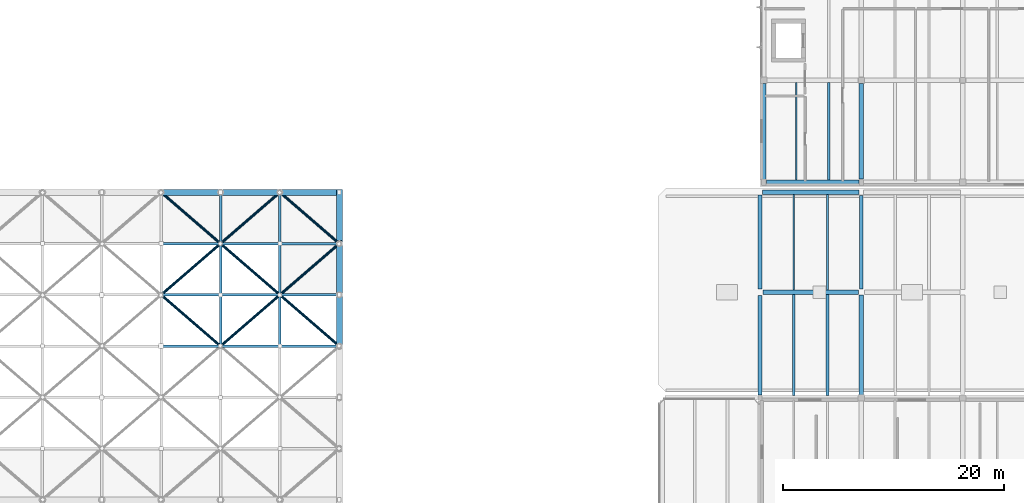
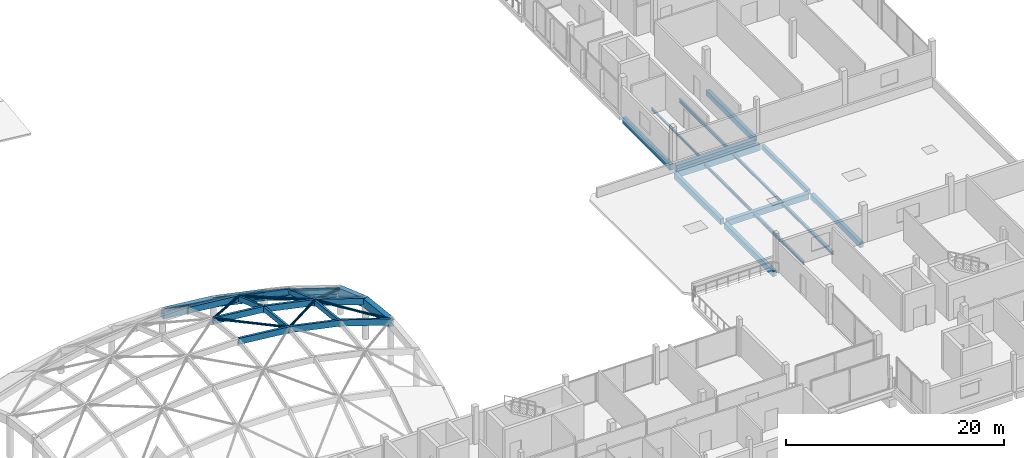
# One storey, part 14 of 41: 24 members, 21 beams.
"""IFC4 building model written with IfcOpenShell, lengths in metres."""

from ifc_helpers import new_model, si_unit, direction, frame, origin, origin_2d, place, context, subcontext, project, spatial, rectangle, hollow_circle, i_section, extrude, material, material_profile, profile_set, type_object, element, save


model = new_model("IFC4")

# Units and contexts
model_context = context("Model", 3, precision=1e-05, world=origin(), true_north=direction((0.0, 1.0)))
body_context = subcontext(model_context, "Body", "Model", "MODEL_VIEW")
ifc_project = project(units=[si_unit("LENGTHUNIT", "METRE"), si_unit("AREAUNIT", "SQUARE_METRE"), si_unit("VOLUMEUNIT", "CUBIC_METRE"), si_unit("PLANEANGLEUNIT", "RADIAN"), si_unit("MASSUNIT", "GRAM", prefix="KILO")], contexts=[model_context])

# Site, building, storey
site_placement = place(None, origin())
site = spatial("IfcSite", under=ifc_project, at=site_placement, CompositionType="ELEMENT")
building_placement = place(site_placement, origin())
building = spatial("IfcBuilding", under=site, at=building_placement, Name="Birchvale Park Specialist Clinic", CompositionType="ELEMENT")
storey_placement = place(building_placement, frame((0.0, 0.0, 9.60009765625)))
storey = spatial("IfcBuildingStorey", under=building, at=storey_placement, Name="L02", CompositionType="ELEMENT", Elevation=9.60009765625)

# Beams
ifc_material_1 = material(Name="Concrete C40/50", Category="concrete")
ifc_material_profile_1 = material_profile(ifc_material_1, rectangle(XDim=0.39990234375, YDim=0.68994140625, at=origin_2d()), Name="RCB-400x690")
ifc_profile_set_1 = profile_set([ifc_material_profile_1], Name="Concrete C40/50")
beam_type_1 = type_object("IfcBeamType", Name="BM-EXT-BG4", PredefinedType="BEAM", material=ifc_profile_set_1)
beam_1_placement = place(storey_placement, frame((128.239990234375, 63.050048828125, -0.6201171875), z_axis=(1.0, 0.0, 0.0), x_axis=(0.0, 1.0, 0.0)))
element("IfcBeam", 1, at=beam_1_placement, inside=storey, type_object=beam_type_1, Name="V5 L02 X girder 17", PredefinedType="BEAM", context=body_context, shape_type="SweptSolid", body=[
    extrude(rectangle(XDim=0.39990234375, YDim=0.68994140625, at=origin_2d()), origin(), (0.0, 0.0, 1.0), 8.75),
])
beam_2_placement = place(storey_placement, frame((128.590087890625, 63.949951171875, -0.64501953125), z_axis=(1.0, 0.0, 0.0), x_axis=(0.0, 1.0, 0.0)))
element("IfcBeam", 2, at=beam_2_placement, inside=storey, type_object=beam_type_1, Name="V6 L02 X girder 1", PredefinedType="BEAM", context=body_context, shape_type="SweptSolid", body=[
    extrude(rectangle(XDim=0.39990234375, YDim=0.68994140625, at=origin_2d()), origin(), (0.0, 0.0, 1.0), 8.39990234375),
])
ifc_material_profile_2 = material_profile(ifc_material_1, rectangle(XDim=0.3798828125, YDim=0.639892578125, at=origin_2d()), Name="RCB-380x640")
ifc_profile_set_2 = profile_set([ifc_material_profile_2], Name="Concrete C40/50")
beam_type_2 = type_object("IfcBeamType", Name="BM-EXT-BG5", PredefinedType="BEAM", material=ifc_profile_set_2)
beam_3_placement = place(storey_placement, frame((128.0, 44.675048828125, -0.59521484375), z_axis=(0.0, 1.0, 0.0), x_axis=(-1.0, 0.0, 0.0)))
element("IfcBeam", 3, at=beam_3_placement, inside=storey, type_object=beam_type_2, Name="V5 L02 Y girder 23", PredefinedType="BEAM", context=body_context, shape_type="SweptSolid", body=[
    extrude(rectangle(XDim=0.3798828125, YDim=0.639892578125, at=origin_2d()), origin(), (0.0, 0.0, 1.0), 9.02490234375),
])
beam_4_placement = place(storey_placement, frame((128.0, 54.300048828125, -0.59521484375), z_axis=(0.0, 1.0, 0.0), x_axis=(-1.0, 0.0, 0.0)))
element("IfcBeam", 4, at=beam_4_placement, inside=storey, type_object=beam_type_2, Name="V5 L02 Y girder 24", PredefinedType="BEAM", context=body_context, shape_type="SweptSolid", body=[
    extrude(rectangle(XDim=0.3798828125, YDim=0.639892578125, at=origin_2d()), origin(), (0.0, 0.0, 1.0), 8.510009765625),
])
beam_5_placement = place(storey_placement, frame((128.35009765625, 64.18994140625, -0.6201171875), z_axis=(0.0, 1.0, 0.0), x_axis=(-1.0, 0.0, 0.0)))
element("IfcBeam", 5, at=beam_5_placement, inside=storey, type_object=beam_type_2, Name="V6 L02 Y girder 16", PredefinedType="BEAM", context=body_context, shape_type="SweptSolid", body=[
    extrude(rectangle(XDim=0.3798828125, YDim=0.639892578125, at=origin_2d()), origin(), (0.0, 0.0, 1.0), 8.75),
])
ifc_material_profile_3 = material_profile(ifc_material_1, rectangle(XDim=0.550048828125, YDim=0.93994140625, at=origin_2d()), Name="RCB-550x940")
ifc_profile_set_3 = profile_set([ifc_material_profile_3], Name="Concrete C40/50")
beam_type_3 = type_object("IfcBeamType", Name="BM-EXT-RB1", PredefinedType="BEAM", material=ifc_profile_set_3)
beam_6_placement = place(storey_placement, frame((73.69287109375, 63.050048828125, 2.81689453125), z_axis=(0.994608725176, 0.0, -0.103699005798), x_axis=(0.0, 1.0, 0.0)))
element("IfcBeam", 6, at=beam_6_placement, inside=storey, type_object=beam_type_3, Name="V1 gridshell perimeter ring beam 12", PredefinedType="BEAM", context=body_context, shape_type="SweptSolid", body=[
    extrude(rectangle(XDim=0.550048828125, YDim=0.93994140625, at=origin_2d()), origin(), (0.0, 0.0, 1.0), 5.4150390625),
])
beam_7_placement = place(storey_placement, frame((79.07861328125, 63.050048828125, 2.25537109375), z_axis=(0.978246670793, 0.0, -0.207445055574), x_axis=(0.0, 1.0, 0.0)))
element("IfcBeam", 7, at=beam_7_placement, inside=storey, type_object=beam_type_3, Name="V1 gridshell perimeter ring beam 13", PredefinedType="BEAM", context=body_context, shape_type="SweptSolid", body=[
    extrude(rectangle(XDim=0.550048828125, YDim=0.93994140625, at=origin_2d()), origin(), (0.0, 0.0, 1.0), 5.505615234375),
])
beam_8_placement = place(storey_placement, frame((84.46435546875, 63.050048828125, 1.11328125), z_axis=(0.950354284012, 0.0, -0.311169945304), x_axis=(0.0, 1.0, 0.0)))
element("IfcBeam", 8, at=beam_8_placement, inside=storey, type_object=beam_type_3, Name="V1 gridshell perimeter ring beam 14", PredefinedType="BEAM", context=body_context, shape_type="SweptSolid", body=[
    extrude(rectangle(XDim=0.550048828125, YDim=0.93994140625, at=origin_2d()), origin(), (0.0, 0.0, 1.0), 5.6669921875),
])
beam_9_placement = place(storey_placement, frame((89.85009765625, 49.10009765625, 4.613037109375), z_axis=(0.0, 0.993844855483, -0.110780879355), x_axis=(-1.0, 0.0, 0.0)))
element("IfcBeam", 9, at=beam_9_placement, inside=storey, type_object=beam_type_3, Name="V1 gridshell perimeter ring beam 24", PredefinedType="BEAM", context=body_context, shape_type="SweptSolid", body=[
    extrude(rectangle(XDim=0.550048828125, YDim=0.93994140625, at=origin_2d()), origin(), (0.0, 0.0, 1.0), 4.6787109375),
])
beam_10_placement = place(storey_placement, frame((89.85009765625, 53.75, 4.0947265625), z_axis=(0.0, 0.943085366196, -0.33255073608), x_axis=(-1.0, 0.0, 0.0)))
element("IfcBeam", 10, at=beam_10_placement, inside=storey, type_object=beam_type_3, Name="V1 gridshell perimeter ring beam 25", PredefinedType="BEAM", context=body_context, shape_type="SweptSolid", body=[
    extrude(rectangle(XDim=0.550048828125, YDim=0.93994140625, at=origin_2d()), origin(), (0.0, 0.0, 1.0), 4.930419921875),
])
beam_11_placement = place(storey_placement, frame((89.85009765625, 58.39990234375, 2.455078125), z_axis=(0.0, 0.831626868314, -0.555334810631), x_axis=(-1.0, 0.0, 0.0)))
element("IfcBeam", 11, at=beam_11_placement, inside=storey, type_object=beam_type_3, Name="V1 gridshell perimeter ring beam 26", PredefinedType="BEAM", context=body_context, shape_type="SweptSolid", body=[
    extrude(rectangle(XDim=0.550048828125, YDim=0.93994140625, at=origin_2d()), origin(), (0.0, 0.0, 1.0), 5.591552734375),
])
ifc_material_profile_4 = material_profile(ifc_material_1, rectangle(XDim=0.39990234375, YDim=0.64990234375, at=origin_2d()), Name="RCB-400x650")
ifc_profile_set_4 = profile_set([ifc_material_profile_4], Name="Concrete C40/50")
beam_type_4 = type_object("IfcBeamType", Name="BM-INT-BG4", PredefinedType="BEAM", material=ifc_profile_set_4)
beam_12_placement = place(storey_placement, frame((128.300048828125, 54.0, -0.60009765625), z_axis=(1.0, 0.0, 0.0), x_axis=(0.0, 1.0, 0.0)))
element("IfcBeam", 12, at=beam_12_placement, inside=storey, type_object=beam_type_4, Name="V5 L02 X girder 15", PredefinedType="BEAM", context=body_context, shape_type="SweptSolid", body=[
    extrude(rectangle(XDim=0.39990234375, YDim=0.64990234375, at=origin_2d()), origin(), (0.0, 0.0, 1.0), 8.625),
])
ifc_material_profile_5 = material_profile(ifc_material_1, rectangle(XDim=0.3798828125, YDim=0.60009765625, at=origin_2d()), Name="RCB-380x600")
ifc_profile_set_5 = profile_set([ifc_material_profile_5], Name="Concrete C40/50")
beam_type_5 = type_object("IfcBeamType", Name="BM-INT-BG5", PredefinedType="BEAM", material=ifc_profile_set_5)
beam_13_placement = place(storey_placement, frame((137.199951171875, 44.64990234375, -0.5751953125), z_axis=(0.0, 1.0, 0.0), x_axis=(-1.0, 0.0, 0.0)))
element("IfcBeam", 13, at=beam_13_placement, inside=storey, type_object=beam_type_5, Name="V5 L02 Y girder 28", PredefinedType="BEAM", context=body_context, shape_type="SweptSolid", body=[
    extrude(rectangle(XDim=0.3798828125, YDim=0.60009765625, at=origin_2d()), origin(), (0.0, 0.0, 1.0), 9.0751953125),
])
beam_14_placement = place(storey_placement, frame((137.199951171875, 64.239990234375, -0.60009765625), z_axis=(0.0, 1.0, 0.0), x_axis=(-1.0, 0.0, 0.0)))
element("IfcBeam", 14, at=beam_14_placement, inside=storey, type_object=beam_type_5, Name="V6 L02 Y girder 20", PredefinedType="BEAM", context=body_context, shape_type="SweptSolid", body=[
    extrude(rectangle(XDim=0.3798828125, YDim=0.60009765625, at=origin_2d()), origin(), (0.0, 0.0, 1.0), 8.659912109375),
])
ifc_material_profile_6 = material_profile(ifc_material_1, rectangle(XDim=0.320068359375, YDim=0.5, at=origin_2d()), Name="RCB-320x500")
ifc_profile_set_6 = profile_set([ifc_material_profile_6], Name="Concrete C40/50")
beam_type_6 = type_object("IfcBeamType", Name="BM-INT-BG7", PredefinedType="BEAM", material=ifc_profile_set_6)
beam_15_placement = place(storey_placement, frame((137.199951171875, 54.27490234375, -0.525146484375), z_axis=(0.0, 1.0, 0.0), x_axis=(-1.0, 0.0, 0.0)))
element("IfcBeam", 15, at=beam_15_placement, inside=storey, type_object=beam_type_6, Name="V5 L02 Y girder 29", PredefinedType="BEAM", context=body_context, shape_type="SweptSolid", body=[
    extrude(rectangle(XDim=0.320068359375, YDim=0.5, at=origin_2d()), origin(), (0.0, 0.0, 1.0), 8.485107421875),
])

# Members
ifc_material_2 = material(Name="Steel EN 10210 S355", Category="steel")
ifc_material_profile_7 = material_profile(ifc_material_2, hollow_circle(Radius=0.122314453125, WallThickness=0.010009765625, at=origin_2d()), Name="CHS244.5X10")
ifc_profile_set_7 = profile_set([ifc_material_profile_7], Name="Steel EN 10210 S355")
member_type_1 = type_object("IfcMemberType", Name="MEM-BR1", PredefinedType="BRACE", material=ifc_profile_set_7)
member_1_placement = place(storey_placement, frame((79.04443359375, 49.12939453125, 7.83642578125), z_axis=(-0.756877770178, 0.653528160972, 0.006081432956), x_axis=(-0.653540246293, -0.756891766685, 0.0)))
element("IfcMember", 16, at=member_1_placement, inside=storey, type_object=member_type_1, Name="V1 gridshell tubular steel diagonal 28", PredefinedType="BRACE", context=body_context, shape_type="SweptSolid", body=[
    extrude(hollow_circle(Radius=0.122314453125, WallThickness=0.010009765625, at=origin_2d()), origin(), (0.0, 0.0, 1.0), 7.025390625),
])
member_2_placement = place(storey_placement, frame((73.725341796875, 53.778076171875, 7.8662109375), z_axis=(0.723117971539, 0.624308880999, -0.29553142023), x_axis=(-0.653498693899, 0.756927643221, 0.0)))
element("IfcMember", 17, at=member_2_placement, inside=storey, type_object=member_type_1, Name="V1 gridshell tubular steel diagonal 29", PredefinedType="BRACE", context=body_context, shape_type="SweptSolid", body=[
    extrude(hollow_circle(Radius=0.122314453125, WallThickness=0.010009765625, at=origin_2d()), origin(), (0.0, 0.0, 1.0), 7.358154296875),
])
member_3_placement = place(storey_placement, frame((79.04638671875, 58.427734375, 5.6630859375), z_axis=(-0.712734222202, 0.615385636246, -0.336616171928), x_axis=(-0.653524027301, -0.756905770714, 0.0)))
element("IfcMember", 18, at=member_3_placement, inside=storey, type_object=member_type_1, Name="V1 gridshell tubular steel diagonal 30", PredefinedType="BRACE", context=body_context, shape_type="SweptSolid", body=[
    extrude(hollow_circle(Radius=0.122314453125, WallThickness=0.010009765625, at=origin_2d()), origin(), (0.0, 0.0, 1.0), 7.466064453125),
])
member_4_placement = place(storey_placement, frame((79.11181640625, 49.128662109375, 7.825927734375), z_axis=(0.737105485434, 0.636425022581, -0.227241488235), x_axis=(-0.653522182779, 0.756907363299, 0.0)))
element("IfcMember", 19, at=member_4_placement, inside=storey, type_object=member_type_1, Name="V1 gridshell tubular steel diagonal 34", PredefinedType="BRACE", context=body_context, shape_type="SweptSolid", body=[
    extrude(hollow_circle(Radius=0.122314453125, WallThickness=0.010009765625, at=origin_2d()), origin(), (0.0, 0.0, 1.0), 7.216552734375),
])
member_5_placement = place(storey_placement, frame((84.430419921875, 53.779296875, 6.1728515625), z_axis=(-0.755076331914, 0.651912840785, -0.069780950149), x_axis=(-0.653505866941, -0.756921450266, 0.0)))
element("IfcMember", 20, at=member_5_placement, inside=storey, type_object=member_type_1, Name="V1 gridshell tubular steel diagonal 35", PredefinedType="BRACE", context=body_context, shape_type="SweptSolid", body=[
    extrude(hollow_circle(Radius=0.122314453125, WallThickness=0.010009765625, at=origin_2d()), origin(), (0.0, 0.0, 1.0), 7.042724609375),
])
member_6_placement = place(storey_placement, frame((79.10791015625, 58.42529296875, 5.6552734375), z_axis=(0.649930122279, 0.561138110614, -0.512557174343), x_axis=(-0.653509679052, 0.756918158974, 0.0)))
element("IfcMember", 21, at=member_6_placement, inside=storey, type_object=member_type_1, Name="V1 gridshell tubular steel diagonal 36", PredefinedType="BRACE", context=body_context, shape_type="SweptSolid", body=[
    extrude(hollow_circle(Radius=0.122314453125, WallThickness=0.010009765625, at=origin_2d()), origin(), (0.0, 0.0, 1.0), 8.196533203125),
])
member_7_placement = place(storey_placement, frame((89.81640625, 49.12890625, 4.938720703125), z_axis=(-0.745586970307, 0.643734006174, 0.172356023983), x_axis=(-0.653514026097, -0.756914405791, 0.0)))
element("IfcMember", 22, at=member_7_placement, inside=storey, type_object=member_type_1, Name="V1 gridshell tubular steel diagonal 40", PredefinedType="BRACE", context=body_context, shape_type="SweptSolid", body=[
    extrude(hollow_circle(Radius=0.122314453125, WallThickness=0.010009765625, at=origin_2d()), origin(), (0.0, 0.0, 1.0), 7.133544921875),
])
member_8_placement = place(storey_placement, frame((84.4951171875, 53.776611328125, 6.156494140625), z_axis=(0.682832120198, 0.589556400917, -0.431466737726), x_axis=(-0.653516849317, 0.756911968236, 0.0)))
element("IfcMember", 23, at=member_8_placement, inside=storey, type_object=member_type_1, Name="V1 gridshell tubular steel diagonal 41", PredefinedType="BRACE", context=body_context, shape_type="SweptSolid", body=[
    extrude(hollow_circle(Radius=0.122314453125, WallThickness=0.010009765625, at=origin_2d()), origin(), (0.0, 0.0, 1.0), 7.79736328125),
])
member_9_placement = place(storey_placement, frame((89.81640625, 58.428955078125, 2.764404296875), z_axis=(-0.74380694835, 0.642197149025, -0.185294482841), x_axis=(-0.653514026097, -0.756914405791, 0.0)))
element("IfcMember", 24, at=member_9_placement, inside=storey, type_object=member_type_1, Name="V1 gridshell tubular steel diagonal 42", PredefinedType="BRACE", context=body_context, shape_type="SweptSolid", body=[
    extrude(hollow_circle(Radius=0.122314453125, WallThickness=0.010009765625, at=origin_2d()), origin(), (0.0, 0.0, 1.0), 7.150634765625),
])
ifc_material_3 = material(Name="Glulam GL28h", Category="wood")
ifc_material_profile_8 = material_profile(ifc_material_3, rectangle(XDim=0.239990234375, YDim=0.679931640625, at=origin_2d()), Name="GL-240x680")
ifc_profile_set_8 = profile_set([ifc_material_profile_8], Name="Glulam GL28h")
member_type_2 = type_object("IfcMemberType", Name="MEM-GC1", PredefinedType="CHORD", material=ifc_profile_set_8)
member_10_placement = place(storey_placement, frame((73.69287109375, 49.10009765625, 8.18505859375), z_axis=(0.994608725176, 0.0, -0.103699005798), x_axis=(0.0, 1.0, 0.0)))
element("IfcMember", 25, at=member_10_placement, inside=storey, type_object=member_type_2, Name="V1 gridshell longitudinal glulam rib 19", PredefinedType="CHORD", context=body_context, shape_type="SweptSolid", body=[
    extrude(rectangle(XDim=0.239990234375, YDim=0.679931640625, at=origin_2d()), origin(), (0.0, 0.0, 1.0), 5.4150390625),
])
member_11_placement = place(storey_placement, frame((79.07861328125, 49.10009765625, 7.62353515625), z_axis=(0.978246670793, 0.0, -0.207445055574), x_axis=(0.0, 1.0, 0.0)))
element("IfcMember", 26, at=member_11_placement, inside=storey, type_object=member_type_2, Name="V1 gridshell longitudinal glulam rib 20", PredefinedType="CHORD", context=body_context, shape_type="SweptSolid", body=[
    extrude(rectangle(XDim=0.239990234375, YDim=0.679931640625, at=origin_2d()), origin(), (0.0, 0.0, 1.0), 5.505615234375),
])
member_12_placement = place(storey_placement, frame((84.46435546875, 49.10009765625, 6.4814453125), z_axis=(0.950354284012, 0.0, -0.311169945304), x_axis=(0.0, 1.0, 0.0)))
element("IfcMember", 27, at=member_12_placement, inside=storey, type_object=member_type_2, Name="V1 gridshell longitudinal glulam rib 21", PredefinedType="CHORD", context=body_context, shape_type="SweptSolid", body=[
    extrude(rectangle(XDim=0.239990234375, YDim=0.679931640625, at=origin_2d()), origin(), (0.0, 0.0, 1.0), 5.6669921875),
])
member_13_placement = place(storey_placement, frame((73.69287109375, 53.75, 7.666748046875), z_axis=(0.994608725176, 0.0, -0.103699005798), x_axis=(0.0, 1.0, 0.0)))
element("IfcMember", 28, at=member_13_placement, inside=storey, type_object=member_type_2, Name="V1 gridshell longitudinal glulam rib 26", PredefinedType="CHORD", context=body_context, shape_type="SweptSolid", body=[
    extrude(rectangle(XDim=0.239990234375, YDim=0.679931640625, at=origin_2d()), origin(), (0.0, 0.0, 1.0), 5.4150390625),
])
member_14_placement = place(storey_placement, frame((79.07861328125, 53.75, 7.105224609375), z_axis=(0.978246670793, 0.0, -0.207445055574), x_axis=(0.0, 1.0, 0.0)))
element("IfcMember", 29, at=member_14_placement, inside=storey, type_object=member_type_2, Name="V1 gridshell longitudinal glulam rib 27", PredefinedType="CHORD", context=body_context, shape_type="SweptSolid", body=[
    extrude(rectangle(XDim=0.239990234375, YDim=0.679931640625, at=origin_2d()), origin(), (0.0, 0.0, 1.0), 5.505615234375),
])
member_15_placement = place(storey_placement, frame((84.46435546875, 53.75, 5.963134765625), z_axis=(0.950354284012, 0.0, -0.311169945304), x_axis=(0.0, 1.0, 0.0)))
element("IfcMember", 30, at=member_15_placement, inside=storey, type_object=member_type_2, Name="V1 gridshell longitudinal glulam rib 28", PredefinedType="CHORD", context=body_context, shape_type="SweptSolid", body=[
    extrude(rectangle(XDim=0.239990234375, YDim=0.679931640625, at=origin_2d()), origin(), (0.0, 0.0, 1.0), 5.6669921875),
])
member_16_placement = place(storey_placement, frame((73.69287109375, 58.39990234375, 6.027099609375), z_axis=(0.994608725176, 0.0, -0.103699005798), x_axis=(0.0, 1.0, 0.0)))
element("IfcMember", 31, at=member_16_placement, inside=storey, type_object=member_type_2, Name="V1 gridshell longitudinal glulam rib 33", PredefinedType="CHORD", context=body_context, shape_type="SweptSolid", body=[
    extrude(rectangle(XDim=0.239990234375, YDim=0.679931640625, at=origin_2d()), origin(), (0.0, 0.0, 1.0), 5.4150390625),
])
member_17_placement = place(storey_placement, frame((79.07861328125, 58.39990234375, 5.465576171875), z_axis=(0.978246670793, 0.0, -0.207445055574), x_axis=(0.0, 1.0, 0.0)))
element("IfcMember", 32, at=member_17_placement, inside=storey, type_object=member_type_2, Name="V1 gridshell longitudinal glulam rib 34", PredefinedType="CHORD", context=body_context, shape_type="SweptSolid", body=[
    extrude(rectangle(XDim=0.239990234375, YDim=0.679931640625, at=origin_2d()), origin(), (0.0, 0.0, 1.0), 5.505615234375),
])
member_18_placement = place(storey_placement, frame((84.46435546875, 58.39990234375, 4.323486328125), z_axis=(0.950354284012, 0.0, -0.311169945304), x_axis=(0.0, 1.0, 0.0)))
element("IfcMember", 33, at=member_18_placement, inside=storey, type_object=member_type_2, Name="V1 gridshell longitudinal glulam rib 35", PredefinedType="CHORD", context=body_context, shape_type="SweptSolid", body=[
    extrude(rectangle(XDim=0.239990234375, YDim=0.679931640625, at=origin_2d()), origin(), (0.0, 0.0, 1.0), 5.6669921875),
])
ifc_material_profile_9 = material_profile(ifc_material_3, rectangle(XDim=0.219970703125, YDim=0.56005859375, at=origin_2d()), Name="GL-220x560")
ifc_profile_set_9 = profile_set([ifc_material_profile_9], Name="Glulam GL28h")
member_type_3 = type_object("IfcMemberType", Name="MEM-GC2", PredefinedType="CHORD", material=ifc_profile_set_9)
member_19_placement = place(storey_placement, frame((79.07861328125, 49.10009765625, 7.62353515625), z_axis=(0.0, 0.993844855483, -0.110780879355), x_axis=(-1.0, 0.0, 0.0)))
element("IfcMember", 34, at=member_19_placement, inside=storey, type_object=member_type_3, Name="V1 gridshell transverse glulam rib 63", PredefinedType="CHORD", context=body_context, shape_type="SweptSolid", body=[
    extrude(rectangle(XDim=0.219970703125, YDim=0.56005859375, at=origin_2d()), origin(), (0.0, 0.0, 1.0), 4.6787109375),
])
member_20_placement = place(storey_placement, frame((79.07861328125, 53.75, 7.105224609375), z_axis=(0.0, 0.943085366196, -0.33255073608), x_axis=(-1.0, 0.0, 0.0)))
element("IfcMember", 35, at=member_20_placement, inside=storey, type_object=member_type_3, Name="V1 gridshell transverse glulam rib 64", PredefinedType="CHORD", context=body_context, shape_type="SweptSolid", body=[
    extrude(rectangle(XDim=0.219970703125, YDim=0.56005859375, at=origin_2d()), origin(), (0.0, 0.0, 1.0), 4.930419921875),
])
member_21_placement = place(storey_placement, frame((79.07861328125, 58.39990234375, 5.465576171875), z_axis=(0.0, 0.831626868314, -0.555334810631), x_axis=(-1.0, 0.0, 0.0)))
element("IfcMember", 36, at=member_21_placement, inside=storey, type_object=member_type_3, Name="V1 gridshell transverse glulam rib 65", PredefinedType="CHORD", context=body_context, shape_type="SweptSolid", body=[
    extrude(rectangle(XDim=0.219970703125, YDim=0.56005859375, at=origin_2d()), origin(), (0.0, 0.0, 1.0), 5.591552734375),
])
member_22_placement = place(storey_placement, frame((84.46435546875, 49.10009765625, 6.4814453125), z_axis=(0.0, 0.993844855483, -0.110780879355), x_axis=(-1.0, 0.0, 0.0)))
element("IfcMember", 37, at=member_22_placement, inside=storey, type_object=member_type_3, Name="V1 gridshell transverse glulam rib 69", PredefinedType="CHORD", context=body_context, shape_type="SweptSolid", body=[
    extrude(rectangle(XDim=0.219970703125, YDim=0.56005859375, at=origin_2d()), origin(), (0.0, 0.0, 1.0), 4.6787109375),
])
member_23_placement = place(storey_placement, frame((84.46435546875, 53.75, 5.963134765625), z_axis=(0.0, 0.943085366196, -0.33255073608), x_axis=(-1.0, 0.0, 0.0)))
element("IfcMember", 38, at=member_23_placement, inside=storey, type_object=member_type_3, Name="V1 gridshell transverse glulam rib 70", PredefinedType="CHORD", context=body_context, shape_type="SweptSolid", body=[
    extrude(rectangle(XDim=0.219970703125, YDim=0.56005859375, at=origin_2d()), origin(), (0.0, 0.0, 1.0), 4.930419921875),
])
member_24_placement = place(storey_placement, frame((84.46435546875, 58.39990234375, 4.323486328125), z_axis=(0.0, 0.831647032656, -0.555304612869), x_axis=(-1.0, 0.0, 0.0)))
element("IfcMember", 39, at=member_24_placement, inside=storey, type_object=member_type_3, Name="V1 gridshell transverse glulam rib 71", PredefinedType="CHORD", context=body_context, shape_type="SweptSolid", body=[
    extrude(rectangle(XDim=0.219970703125, YDim=0.56005859375, at=origin_2d()), origin(), (0.0, 0.0, 1.0), 5.591552734375),
])

# Beams
ifc_material_4 = material(Name="Steel ASTM A992 Grade 50", Category="steel")
ifc_material_profile_10 = material_profile(ifc_material_4, i_section(OverallWidth=0.2041015625, OverallDepth=0.35107421875, WebThickness=0.008544921875, FlangeThickness=0.01513671875, at=origin_2d()), Name="W14X48")
ifc_profile_set_10 = profile_set([ifc_material_profile_10], Name="Steel ASTM A992 Grade 50")
beam_type_7 = type_object("IfcBeamType", Name="STL-INT-SJ1", PredefinedType="JOIST", material=ifc_profile_set_10)
beam_16_placement = place(storey_placement, frame((131.066650390625, 44.60009765625, -0.45068359375), z_axis=(0.0, 1.0, 0.0), x_axis=(-1.0, 0.0, 0.0)))
element("IfcBeam", 40, at=beam_16_placement, inside=storey, type_object=beam_type_7, Name="V5 L02 secondary floor joist 7", PredefinedType="JOIST", context=body_context, shape_type="SweptSolid", body=[
    extrude(i_section(OverallWidth=0.2041015625, OverallDepth=0.35107421875, WebThickness=0.008544921875, FlangeThickness=0.01513671875, at=origin_2d()), origin(), (0.0, 0.0, 1.0), 9.199951171875),
])
beam_17_placement = place(storey_placement, frame((134.25, 64.14990234375, -0.4755859375), z_axis=(0.0, 1.0, 0.0), x_axis=(-1.0, 0.0, 0.0)))
element("IfcBeam", 41, at=beam_17_placement, inside=storey, type_object=beam_type_7, Name="V6 L02 secondary floor joist 2", PredefinedType="JOIST", context=body_context, shape_type="SweptSolid", body=[
    extrude(i_section(OverallWidth=0.2041015625, OverallDepth=0.35107421875, WebThickness=0.008544921875, FlangeThickness=0.01513671875, at=origin_2d()), origin(), (0.0, 0.0, 1.0), 8.85009765625),
])
ifc_material_profile_11 = material_profile(ifc_material_4, i_section(OverallWidth=0.25390625, OverallDepth=0.305908203125, WebThickness=0.0087890625, FlangeThickness=0.0146484375, at=origin_2d()), Name="W12X53")
ifc_profile_set_11 = profile_set([ifc_material_profile_11], Name="Steel ASTM A992 Grade 50")
beam_type_8 = type_object("IfcBeamType", Name="STL-INT-SJ2", PredefinedType="JOIST", material=ifc_profile_set_11)
beam_18_placement = place(storey_placement, frame((134.13330078125, 44.60009765625, -0.427978515625), z_axis=(0.0, 1.0, 0.0), x_axis=(-1.0, 0.0, 0.0)))
element("IfcBeam", 42, at=beam_18_placement, inside=storey, type_object=beam_type_8, Name="V5 L02 secondary floor joist 8", PredefinedType="JOIST", context=body_context, shape_type="SweptSolid", body=[
    extrude(i_section(OverallWidth=0.25390625, OverallDepth=0.305908203125, WebThickness=0.0087890625, FlangeThickness=0.0146484375, at=origin_2d()), origin(), (0.0, 0.0, 1.0), 9.199951171875),
])
ifc_material_profile_12 = material_profile(ifc_material_4, i_section(OverallWidth=0.1669921875, OverallDepth=0.31689453125, WebThickness=0.007568359375, FlangeThickness=0.01318359375, at=origin_2d()), Name="W12X35")
ifc_profile_set_12 = profile_set([ifc_material_profile_12], Name="Steel ASTM A992 Grade 50")
beam_type_9 = type_object("IfcBeamType", Name="STL-INT-SJ3", PredefinedType="JOIST", material=ifc_profile_set_12)
beam_19_placement = place(storey_placement, frame((131.066650390625, 54.199951171875, -0.43359375), z_axis=(0.0, 1.0, 0.0), x_axis=(-1.0, 0.0, 0.0)))
element("IfcBeam", 43, at=beam_19_placement, inside=storey, type_object=beam_type_9, Name="V5 L02 secondary floor joist 9", PredefinedType="JOIST", context=body_context, shape_type="SweptSolid", body=[
    extrude(i_section(OverallWidth=0.1669921875, OverallDepth=0.31689453125, WebThickness=0.007568359375, FlangeThickness=0.01318359375, at=origin_2d()), origin(), (0.0, 0.0, 1.0), 8.650146484375),
])
ifc_material_profile_13 = material_profile(ifc_material_4, i_section(OverallWidth=0.202880859375, OverallDepth=0.251953125, WebThickness=0.008056640625, FlangeThickness=0.013427734375, at=origin_2d()), Name="W10X39")
ifc_profile_set_13 = profile_set([ifc_material_profile_13], Name="Steel ASTM A992 Grade 50")
beam_type_10 = type_object("IfcBeamType", Name="STL-INT-SJ4", PredefinedType="JOIST", material=ifc_profile_set_13)
beam_20_placement = place(storey_placement, frame((134.13330078125, 54.199951171875, -0.401123046875), z_axis=(0.0, 1.0, 0.0), x_axis=(-1.0, 0.0, 0.0)))
element("IfcBeam", 44, at=beam_20_placement, inside=storey, type_object=beam_type_10, Name="V5 L02 secondary floor joist 10", PredefinedType="JOIST", context=body_context, shape_type="SweptSolid", body=[
    extrude(i_section(OverallWidth=0.202880859375, OverallDepth=0.251953125, WebThickness=0.008056640625, FlangeThickness=0.013427734375, at=origin_2d()), origin(), (0.0, 0.0, 1.0), 8.650146484375),
])
ifc_material_profile_14 = material_profile(ifc_material_4, i_section(OverallWidth=0.14697265625, OverallDepth=0.261962890625, WebThickness=0.006591796875, FlangeThickness=0.01123046875, at=origin_2d()), Name="W10X26")
ifc_profile_set_14 = profile_set([ifc_material_profile_14], Name="Steel ASTM A992 Grade 50")
beam_type_11 = type_object("IfcBeamType", Name="STL-INT-SJ5", PredefinedType="JOIST", material=ifc_profile_set_14)
beam_21_placement = place(storey_placement, frame((131.300048828125, 64.14990234375, -0.43115234375), z_axis=(0.0, 1.0, 0.0), x_axis=(-1.0, 0.0, 0.0)))
element("IfcBeam", 45, at=beam_21_placement, inside=storey, type_object=beam_type_11, Name="V6 L02 secondary floor joist 1", PredefinedType="JOIST", context=body_context, shape_type="SweptSolid", body=[
    extrude(i_section(OverallWidth=0.14697265625, OverallDepth=0.261962890625, WebThickness=0.006591796875, FlangeThickness=0.01123046875, at=origin_2d()), origin(), (0.0, 0.0, 1.0), 8.85009765625),
])

save(model, "model.ifc")
